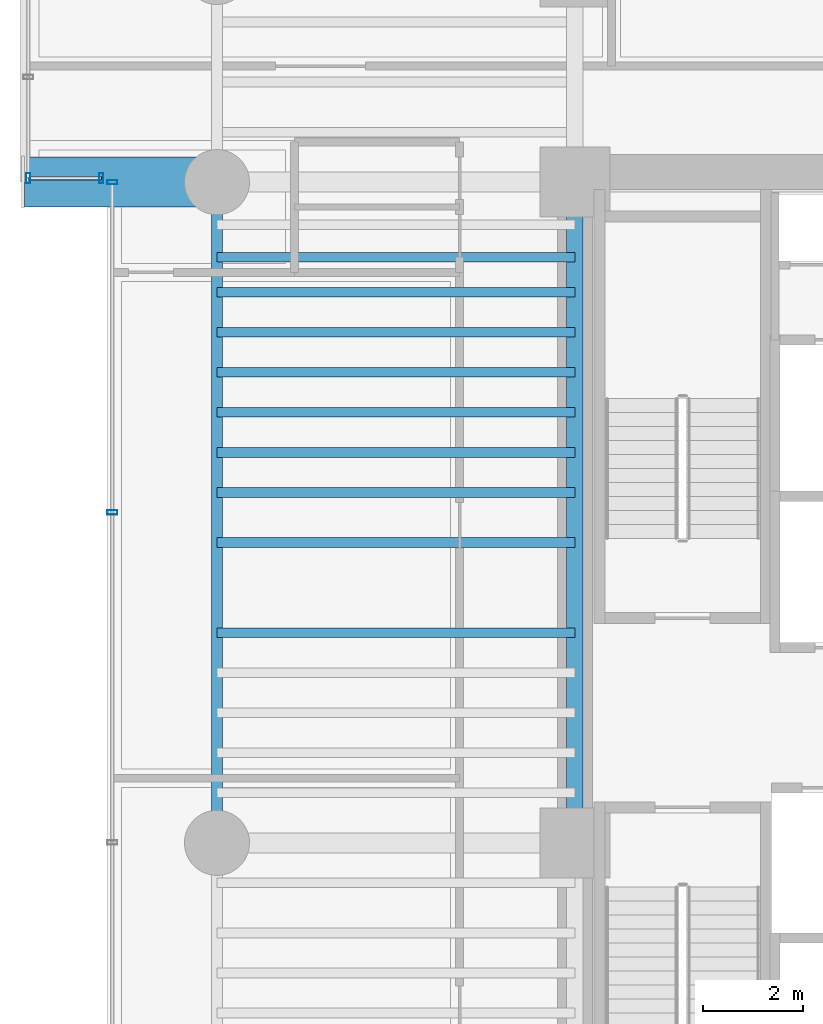
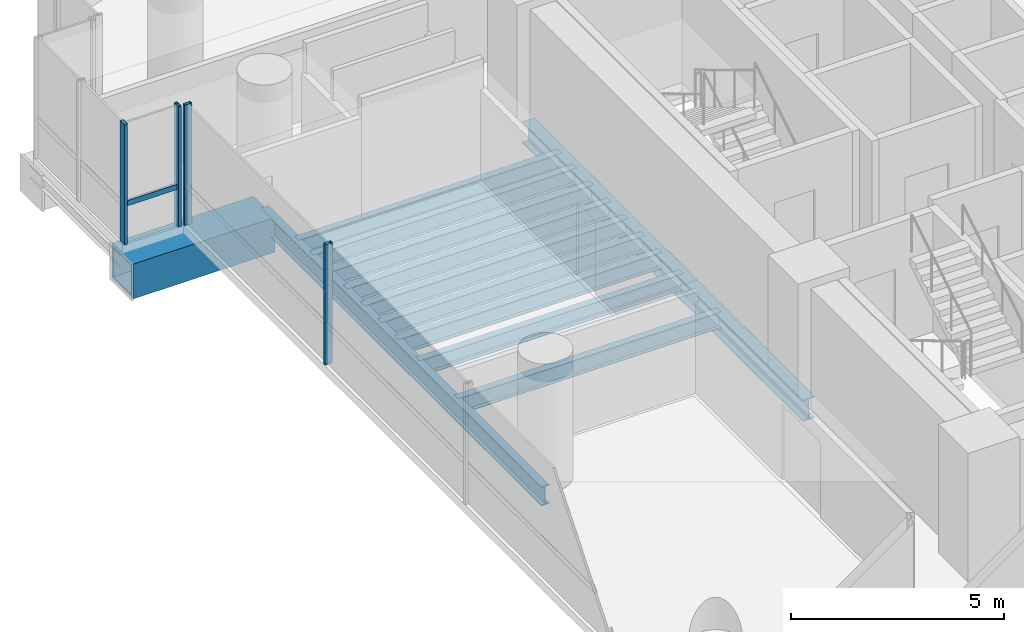
# One storey, part 10 of 40: 12 beams, 5 members, 2 elements without a shape of their own.
"""IFC4 building model written with IfcOpenShell, lengths in metres."""

import ifcopenshell
import ifcopenshell.guid

model = None  # the IFC model being written
_history = None  # IfcOwnerHistory: only IFC2X3 demands one
_inside = {}  # id of a spatial element -> (the spatial element, [elements in it])
_under = {}  # id of a project, library or spatial element -> (it, [spatial elements below it])
_declared = {}  # id of a project -> (the project, [libraries it declares])
_typed = {}  # id of a type object -> (the type object, [elements of that type])
_made_of = {}  # id of a material, layer set ... -> (it, [elements and type objects made of it])


def new_model(schema):
    """Start an empty IFC model of exactly this schema.

    Asked for "IFC4X3", IfcOpenShell would pick the latest addendum, in which some entities
    have other attributes; the version numbers below select the first issue.
    IFC2X3 requires an IfcOwnerHistory on every rooted entity: one is made here for all.
    """
    global model, _history
    if schema == "IFC4X3":
        model = ifcopenshell.file(schema_version=(4, 3, 0, 0))
    else:
        model = ifcopenshell.file(schema=schema)
    _inside.clear()
    _under.clear()
    _declared.clear()
    _typed.clear()
    _made_of.clear()
    _history = None
    if model.schema == "IFC2X3":
        org = make("IfcOrganization", Name="unknown")
        user = make(
            "IfcPersonAndOrganization",
            ThePerson=make("IfcPerson", FamilyName="unknown"),
            TheOrganization=org,
        )
        app = make(
            "IfcApplication",
            ApplicationDeveloper=org,
            Version="unknown",
            ApplicationFullName="unknown",
            ApplicationIdentifier="unknown",
        )
        _history = make(
            "IfcOwnerHistory",
            OwningUser=user,
            OwningApplication=app,
            ChangeAction="ADDED",
            CreationDate=0,
        )
    return model


def make(cls, **values):
    """One entity of the class cls with the attributes given. An attribute that is None is left unset."""
    return model.create_entity(
        cls, **{name: value for name, value in values.items() if value is not None}
    )


def rooted(cls, **values):
    """An entity with a GlobalId (a new one), such as an element, a storey or a relation."""
    return make(cls, GlobalId=ifcopenshell.guid.new(), OwnerHistory=_history, **values)


def si_unit(unit_type, name, prefix=None):
    """IfcSIUnit, for example si_unit("LENGTHUNIT", "METRE", prefix="MILLI")."""
    return make("IfcSIUnit", UnitType=unit_type, Prefix=prefix, Name=name)


def assignment(units):
    """IfcUnitAssignment: the units of a project."""
    return None if units is None else make("IfcUnitAssignment", Units=units)


def point(xyz):
    """IfcCartesianPoint."""
    return None if xyz is None else make("IfcCartesianPoint", Coordinates=xyz)


def direction(xyz):
    """IfcDirection."""
    return None if xyz is None else make("IfcDirection", DirectionRatios=xyz)


def frame(location, z_axis=None, x_axis=None):
    """IfcAxis2Placement3D, a coordinate frame: its origin and axes. An axis left out is left unset."""
    return make(
        "IfcAxis2Placement3D",
        Location=point(location),
        Axis=direction(z_axis),
        RefDirection=direction(x_axis),
    )


def frame_2d(location, x_axis=None):
    """IfcAxis2Placement2D, a coordinate frame in the plane: its origin and x axis."""
    return make(
        "IfcAxis2Placement2D", Location=point(location), RefDirection=direction(x_axis)
    )


def origin():
    """The frame at (0, 0, 0) with its axes left unset."""
    return frame((0.0, 0.0, 0.0))


def origin_2d():
    """The frame at (0, 0) in the plane with its x axis left unset."""
    return frame_2d((0.0, 0.0))


def place(relative_to, where):
    """IfcLocalPlacement: puts the frame where relative to a parent placement (None: the world)."""
    return make(
        "IfcLocalPlacement", PlacementRelTo=relative_to, RelativePlacement=where
    )


def context(
    kind, dimensions, precision=None, world=None, true_north=None, identifier=None
):
    """IfcGeometricRepresentationContext, for example the 3D "Model" context."""
    return make(
        "IfcGeometricRepresentationContext",
        ContextIdentifier=identifier,
        ContextType=kind,
        CoordinateSpaceDimension=dimensions,
        Precision=precision,
        WorldCoordinateSystem=world,
        TrueNorth=true_north,
    )


def subcontext(parent, identifier, kind, view, scale=None):
    """IfcGeometricRepresentationSubContext, for example "Body" below "Model"."""
    return make(
        "IfcGeometricRepresentationSubContext",
        ContextIdentifier=identifier,
        ContextType=kind,
        ParentContext=parent,
        TargetScale=scale,
        TargetView=view,
    )


def project(units=None, contexts=None):
    """IfcProject with its units and contexts."""
    return rooted(
        "IfcProject",
        Name="project",
        RepresentationContexts=contexts,
        UnitsInContext=assignment(units),
    )


def spatial(cls, under=None, at=None, **own):
    """A site, building, storey or space (cls), placed at a placement, below another one or the project."""
    s = rooted(cls, ObjectPlacement=at, **own)
    if under is not None:
        _under.setdefault(under.id(), (under, []))[1].append(s)
    return s


def profile(cls, at=None, kind="AREA", **sizes):
    """A parametric profile (cls). Its sizes go by their IFC names, for example OverallWidth=200.0."""
    return make(cls, ProfileType=kind, Position=at, **sizes)


def hollow_rectangle(**sizes):
    """IfcRectangleHollowProfileDef."""
    return profile("IfcRectangleHollowProfileDef", **sizes)


def i_section(**sizes):
    """IfcIShapeProfileDef."""
    return profile("IfcIShapeProfileDef", **sizes)


def extrude(swept, where, along, depth):
    """IfcExtrudedAreaSolid: the profile swept, set in the frame where, extruded along a direction by depth."""
    return make(
        "IfcExtrudedAreaSolid",
        SweptArea=swept,
        Position=where,
        ExtrudedDirection=direction(along),
        Depth=depth,
    )


def shape(context_of_items, identifier, shape_type, items):
    """IfcShapeRepresentation: the items that make up one representation, for example the "Body"."""
    return make(
        "IfcShapeRepresentation",
        ContextOfItems=context_of_items,
        RepresentationIdentifier=identifier,
        RepresentationType=shape_type,
        Items=items,
    )


def source(mapping_origin, context_of_items, identifier, shape_type, items):
    """IfcRepresentationMap: a shape defined once, which mapped items show again and again."""
    return make(
        "IfcRepresentationMap",
        MappingOrigin=mapping_origin,
        MappedRepresentation=shape(context_of_items, identifier, shape_type, items),
    )


def transform(
    local_origin,
    x_axis=None,
    y_axis=None,
    z_axis=None,
    scale=None,
    scale2=None,
    scale3=None,
    uniform=True,
):
    """IfcCartesianTransformationOperator3D, or its non-uniform kind. x_axis, y_axis, z_axis: its Axis1, 2, 3."""
    if uniform:
        return make(
            "IfcCartesianTransformationOperator3D",
            Axis1=direction(x_axis),
            Axis2=direction(y_axis),
            LocalOrigin=point(local_origin),
            Scale=scale,
            Axis3=direction(z_axis),
        )
    return make(
        "IfcCartesianTransformationOperator3DnonUniform",
        Axis1=direction(x_axis),
        Axis2=direction(y_axis),
        LocalOrigin=point(local_origin),
        Scale=scale,
        Axis3=direction(z_axis),
        Scale2=scale2,
        Scale3=scale3,
    )


def mapped(mapping_source, mapping_target):
    """IfcMappedItem: shows the shape of a source again, moved by a transform."""
    return make(
        "IfcMappedItem", MappingSource=mapping_source, MappingTarget=mapping_target
    )


def material(Name=None, Category=None):
    """IfcMaterial."""
    return make("IfcMaterial", Name=Name, Category=Category)


def material_profile(
    of_material, cross_section, Name=None, Category=None, Priority=None
):
    """IfcMaterialProfile: a cross section and its material."""
    return make(
        "IfcMaterialProfile",
        Name=Name,
        Material=of_material,
        Profile=cross_section,
        Priority=Priority,
        Category=Category,
    )


def profile_set(profiles, Name=None, composite=None):
    """IfcMaterialProfileSet."""
    return make(
        "IfcMaterialProfileSet",
        Name=Name,
        MaterialProfiles=profiles,
        CompositeProfile=composite,
    )


def made_of(thing, what):
    """Note that an element or type object is made of a material, layer set ...; save() writes the relation."""
    if what is not None:
        _made_of.setdefault(what.id(), (what, []))[1].append(thing)
    return thing


def type_object(cls, material=None, **own):
    """A type object (cls), such as IfcWallType, which elements share."""
    return made_of(rooted(cls, **own), material)


def element(
    cls,
    number,
    at=None,
    inside=None,
    cuts=None,
    type_object=None,
    material=None,
    context=None,
    identifier="Body",
    shape_type=None,
    held_by="IfcProductDefinitionShape",
    body=None,
    shapes=None,
    **own,
):
    """One element of the class cls, such as IfcWall. Its Tag is "e" and its number.

    at: its placement. inside: the storey or other place that contains it. cuts: it is an
    opening in that element (IfcRelVoidsElement). A single representation is given by context,
    identifier, shape_type and body (its items); several are given by shapes. held_by: the class
    of the entity that holds the representations. save() writes the other relations.
    """
    e = rooted(cls, Tag="e%d" % number, ObjectPlacement=at, **own)
    if body is not None:
        shapes = [shape(context, identifier, shape_type, body)]
    if shapes is not None:
        e.Representation = make(held_by, Representations=shapes)
    if inside is not None:
        _inside.setdefault(inside.id(), (inside, []))[1].append(e)
    if cuts is not None:
        rooted(
            "IfcRelVoidsElement", RelatingBuildingElement=cuts, RelatedOpeningElement=e
        )
    if type_object is not None:
        _typed.setdefault(type_object.id(), (type_object, []))[1].append(e)
    return made_of(e, material)


def aggregate(whole, parts):
    """IfcRelAggregates: a whole, such as a stair, and the parts it consists of."""
    return rooted("IfcRelAggregates", RelatingObject=whole, RelatedObjects=parts)


def save(model, path):
    """Write the relations noted so far, then the file.

    IfcRelAggregates (storeys below a building ...), IfcRelContainedInSpatialStructure (elements
    in a storey), IfcRelDefinesByType, IfcRelAssociatesMaterial and IfcRelDeclares: one each for
    every whole, place, type object, material and project.
    """
    for whole, parts in _under.values():
        aggregate(whole, parts)
    for where, things in _inside.values():
        rooted(
            "IfcRelContainedInSpatialStructure",
            RelatedElements=things,
            RelatingStructure=where,
        )
    for kind, things in _typed.values():
        rooted("IfcRelDefinesByType", RelatedObjects=things, RelatingType=kind)
    for what, things in _made_of.values():
        rooted("IfcRelAssociatesMaterial", RelatedObjects=things, RelatingMaterial=what)
    for by, libraries in _declared.values():
        rooted("IfcRelDeclares", RelatingContext=by, RelatedDefinitions=libraries)
    model.write(path)


model = new_model("IFC4")

# Units and contexts
model_context = context("Model", 3, precision=1e-05, world=origin(), true_north=direction((0.0, 1.0)))
body_context = subcontext(model_context, "Body", "Model", "MODEL_VIEW")
ifc_project = project(units=[si_unit("LENGTHUNIT", "METRE"), si_unit("AREAUNIT", "SQUARE_METRE"), si_unit("VOLUMEUNIT", "CUBIC_METRE"), si_unit("PLANEANGLEUNIT", "RADIAN"), si_unit("MASSUNIT", "GRAM", prefix="KILO")], contexts=[model_context])

# Site, building, storey
site_placement = place(None, origin())
site = spatial("IfcSite", under=ifc_project, at=site_placement, CompositionType="ELEMENT")
building_placement = place(site_placement, origin())
building = spatial("IfcBuilding", under=site, at=building_placement, Name="Valdorenza Pilgrim Sanctuary Tower", CompositionType="ELEMENT")
storey_placement = place(building_placement, frame((0.0, 0.0, 51.89990234375)))
storey = spatial("IfcBuildingStorey", under=building, at=storey_placement, Name="L12", CompositionType="ELEMENT", Elevation=51.89990234375)

# Beams
ifc_material_1 = material(Name="Steel ASTM A992 Grade 50", Category="steel")
ifc_material_profile_1 = material_profile(ifc_material_1, i_section(OverallWidth=0.214111328125, OverallDepth=0.549072265625, WebThickness=0.0146484375, FlangeThickness=0.023681640625, at=origin_2d()), Name="W21X93")
ifc_profile_set_1 = profile_set([ifc_material_profile_1], Name="Steel ASTM A992 Grade 50")
beam_type_1 = type_object("IfcBeamType", Name="STR-BM-SPN-W21A", PredefinedType="SPANDREL", material=ifc_profile_set_1)
shared_shape_1 = source(origin(), body_context, "Body", "SweptSolid", [
    extrude(i_section(OverallWidth=0.214111328125, OverallDepth=0.549072265625, WebThickness=0.0146484375, FlangeThickness=0.023681640625, at=origin_2d()), origin(), (0.0, 0.0, 1.0), 13.2001953125),
])
beam_1_placement = place(storey_placement, frame((-29.800048828125, -2.60009765625, -0.514404296875), z_axis=(0.0, 1.0, 0.0), x_axis=(-1.0, 0.0, 0.0)))
element("IfcBeam", 1, at=beam_1_placement, inside=storey, type_object=beam_type_1, Name="L12 Spandrel Beam WA-W-M0N1", PredefinedType="SPANDREL", context=body_context, shape_type="MappedRepresentation", body=[
    mapped(shared_shape_1, transform((0.0, 0.0, 0.0), x_axis=(1.0, 0.0, 0.0), y_axis=(0.0, 1.0, 0.0), z_axis=(0.0, 0.0, 1.0), scale=1.0)),
])
ifc_material_profile_2 = material_profile(ifc_material_1, i_section(OverallWidth=0.323974609375, OverallDepth=0.611083984375, WebThickness=0.0126953125, FlangeThickness=0.01904296875, at=origin_2d()), Name="W24X104")
ifc_profile_set_2 = profile_set([ifc_material_profile_2], Name="Steel ASTM A992 Grade 50")
beam_type_2 = type_object("IfcBeamType", Name="STR-BM-GRD-W24B", PredefinedType="BEAM", material=ifc_profile_set_2)
shared_shape_2 = source(origin(), body_context, "Body", "SweptSolid", [
    extrude(i_section(OverallWidth=0.323974609375, OverallDepth=0.611083984375, WebThickness=0.0126953125, FlangeThickness=0.01904296875, at=origin_2d()), origin(), (0.0, 0.0, 1.0), 13.2001953125),
])
beam_2_placement = place(storey_placement, frame((-22.64990234375, -2.60009765625, -0.54541015625), z_axis=(0.0, 1.0, 0.0), x_axis=(-1.0, 0.0, 0.0)))
element("IfcBeam", 2, at=beam_2_placement, inside=storey, type_object=beam_type_2, Name="L12 Core Tie Girder CA-W-M0N1", PredefinedType="BEAM", context=body_context, shape_type="MappedRepresentation", body=[
    mapped(shared_shape_2, transform((0.0, 0.0, 0.0), x_axis=(1.0, 0.0, 0.0), y_axis=(0.0, 1.0, 0.0), z_axis=(0.0, 0.0, 1.0), scale=1.0)),
])
ifc_material_profile_3 = material_profile(ifc_material_1, i_section(OverallWidth=0.193115234375, OverallDepth=0.466064453125, WebThickness=0.011474609375, FlangeThickness=0.01904296875, at=origin_2d()), Name="W18X65")
ifc_profile_set_3 = profile_set([ifc_material_profile_3], Name="Steel ASTM A992 Grade 50")
beam_type_3 = type_object("IfcBeamType", Name="STR-BM-JST-W18A", PredefinedType="JOIST", material=ifc_profile_set_3)
shared_shape_3 = source(origin(), body_context, "Body", "SweptSolid", [
    extrude(i_section(OverallWidth=0.193115234375, OverallDepth=0.466064453125, WebThickness=0.011474609375, FlangeThickness=0.01904296875, at=origin_2d()), origin(), (0.0, 0.0, 1.0), 7.150146484375),
])
for number, where, z_axis, x_axis, name in (
    (3, (-29.800048828125, 1.60009765625, -0.472900390625), (1.0, 0.0, 0.0), (0.0, 1.0, 0.0), "L12 Composite Floor Joist JST-WA-14"),
    (4, (-29.800048828125, 3.39990234375, -0.472900390625), (1.0, 0.0, 0.0), (0.0, 1.0, 0.0), "L12 Composite Floor Joist JST-WA-15"),
    (5, (-29.800048828125, 4.39990234375, -0.472900390625), (1.0, 0.0, 0.0), (0.0, 1.0, 0.0), "L12 Composite Floor Joist JST-WA-16"),
    (6, (-29.800048828125, 5.199951171875, -0.472900390625), (1.0, 0.0, 0.0), (0.0, 1.0, 0.0), "L12 Composite Floor Joist JST-WA-17"),
    (7, (-29.800048828125, 6.0, -0.472900390625), (1.0, 0.0, 0.0), (0.0, 1.0, 0.0), "L12 Composite Floor Joist JST-WA-18"),
    (8, (-29.800048828125, 6.800048828125, -0.472900390625), (1.0, 0.0, 0.0), (0.0, 1.0, 0.0), "L12 Composite Floor Joist JST-WA-19"),
    (9, (-29.800048828125, 7.60009765625, -0.472900390625), (1.0, 0.0, 0.0), (0.0, 1.0, 0.0), "L12 Composite Floor Joist JST-WA-20"),
    (10, (-29.800048828125, 8.39990234375, -0.472900390625), (1.0, 0.0, 0.0), (0.0, 1.0, 0.0), "L12 Composite Floor Joist JST-WA-21"),
    (11, (-29.800048828125, 9.10009765625, -0.472900390625), (1.0, 0.0, 0.0), (0.0, 1.0, 0.0), "L12 Composite Floor Joist JST-WA-22"),
):
    element("IfcBeam", number, at=place(storey_placement, frame(where, z_axis=z_axis, x_axis=x_axis)), inside=storey, type_object=beam_type_3, Name=name, PredefinedType="JOIST", context=body_context, shape_type="MappedRepresentation", body=[
        mapped(shared_shape_3, transform((0.0, 0.0, 0.0), x_axis=(1.0, 0.0, 0.0), y_axis=(0.0, 1.0, 0.0), z_axis=(0.0, 0.0, 1.0), scale=1.0)),
    ])
ifc_material_2 = material(Name="Steel ASTM A572 Grade 42", Category="steel")
ifc_material_profile_4 = material_profile(ifc_material_2, hollow_rectangle(XDim=1.0, YDim=1.0, WallThickness=0.080078125, at=origin_2d()), Name="BOX 1000x1000x80")
ifc_profile_set_4 = profile_set([ifc_material_profile_4], Name="Steel ASTM A572 Grade 42")
beam_type_4 = type_object("IfcBeamType", Name="STR-BM-PROW-CANT", PredefinedType="BEAM", material=ifc_profile_set_4)
shared_shape_4 = source(origin(), body_context, "Body", "SweptSolid", [
    extrude(hollow_rectangle(XDim=1.0, YDim=1.0, WallThickness=0.080078125, at=origin_2d()), origin(), (0.0, 0.0, 1.0), 3.849853515625),
])
beam_3_placement = place(storey_placement, frame((-29.800048828125, 10.60009765625, -0.739990234375), z_axis=(-1.0, 0.0, 0.0), x_axis=(0.0, -1.0, 0.0)))
element("IfcBeam", 12, at=beam_3_placement, inside=storey, type_object=beam_type_4, Name="L12 Glass Box Cantilever Beam BOX-WA-L12-CT-S", PredefinedType="BEAM", context=body_context, shape_type="MappedRepresentation", body=[
    mapped(shared_shape_4, transform((0.0, 0.0, 0.0), x_axis=(1.0, 0.0, 0.0), y_axis=(0.0, 1.0, 0.0), z_axis=(0.0, 0.0, 1.0), scale=1.0)),
])

# Curtain wall, member
ifc_material_3 = material(Name="Curtain-wall IGU glazing", Category="glass")
curtain_wall_type = type_object("IfcCurtainWallType", Name="CW-SYS-02", PredefinedType="NOTDEFINED", material=ifc_material_3)
curtain_wall_1_placement = place(storey_placement, origin())
curtain_wall_1 = element("IfcCurtainWall", 13, at=curtain_wall_1_placement, inside=storey, type_object=curtain_wall_type, Name="L12 Curtain Wall CW-L12-BOX-WA-L12-S", PredefinedType="NOTDEFINED")
ifc_material_4 = material(Name="Anodised aluminium AW-6060", Category="aluminium")
ifc_material_profile_5 = material_profile(ifc_material_4, hollow_rectangle(XDim=0.074951171875, YDim=0.14990234375, WallThickness=0.00390625, at=origin_2d()), Name="ALU-T 150x75x4")
ifc_profile_set_5 = profile_set([ifc_material_profile_5], Name="Anodised aluminium AW-6060")
member_type_1 = type_object("IfcMemberType", Name="CW-TRN-02", PredefinedType="USERDEFINED", material=ifc_profile_set_5)
shared_shape_5 = source(origin(), body_context, "Body", "SweptSolid", [
    extrude(hollow_rectangle(XDim=0.074951171875, YDim=0.14990234375, WallThickness=0.00390625, at=origin_2d()), origin(), (0.0, 0.0, 1.0), 1.4599609375),
])
member_1_placement = place(storey_placement, frame((-32.110107421875, 10.679931640625, 1.1201171875), z_axis=(-1.0, 0.0, 0.0), x_axis=(0.0, -1.0, 0.0)))
member_1 = element("IfcMember", 14, at=member_1_placement, type_object=member_type_1, Name="CW-L12-BOX-WA-L12-S Transom 1", ObjectType="TRANSOM", PredefinedType="USERDEFINED", context=body_context, shape_type="MappedRepresentation", body=[
    mapped(shared_shape_5, transform((0.0, 0.0, 0.0), x_axis=(1.0, 0.0, 0.0), y_axis=(0.0, 1.0, 0.0), z_axis=(0.0, 0.0, 1.0), scale=1.0)),
])

# Curtain wall, members
curtain_wall_2_placement = place(storey_placement, origin())
curtain_wall_2 = element("IfcCurtainWall", 15, at=curtain_wall_2_placement, inside=storey, type_object=curtain_wall_type, Name="L12 Curtain Wall CW-L12-1-1S1", PredefinedType="NOTDEFINED")
ifc_material_profile_6 = material_profile(ifc_material_4, hollow_rectangle(XDim=0.0849609375, YDim=0.199951171875, WallThickness=0.0048828125, at=origin_2d()), Name="ALU-M 200x85x5")
ifc_profile_set_6 = profile_set([ifc_material_profile_6], Name="Anodised aluminium AW-6060")
member_type_2 = type_object("IfcMemberType", Name="CW-MUL-02", PredefinedType="MULLION", material=ifc_profile_set_6)
shared_shape_6 = source(origin(), body_context, "Body", "SweptSolid", [
    extrude(hollow_rectangle(XDim=0.0849609375, YDim=0.199951171875, WallThickness=0.0048828125, at=origin_2d()), origin(), (0.0, 0.0, 1.0), 3.460205078125),
])
member_2_placement = place(storey_placement, frame((-31.889892578125, 4.002685546875, 0.0), z_axis=(0.0, 0.0, 1.0), x_axis=(0.0, 1.0, 0.0)))
member_2 = element("IfcMember", 16, at=member_2_placement, type_object=member_type_2, Name="CW-L12-1-1S1 Mullion 4", PredefinedType="MULLION", context=body_context, shape_type="MappedRepresentation", body=[
    mapped(shared_shape_6, transform((0.0, 0.0, 0.0), x_axis=(1.0, 0.0, 0.0), y_axis=(0.0, 1.0, 0.0), z_axis=(0.0, 0.0, 1.0), scale=1.0)),
])
member_3_placement = place(storey_placement, frame((-31.889892578125, 10.60009765625, 0.0), z_axis=(0.0, 0.0, 1.0), x_axis=(0.0, 1.0, 0.0)))
member_3 = element("IfcMember", 17, at=member_3_placement, type_object=member_type_2, Name="CW-L12-1-1S1 Mullion 5", PredefinedType="MULLION", context=body_context, shape_type="MappedRepresentation", body=[
    mapped(shared_shape_6, transform((0.0, 0.0, 0.0), x_axis=(1.0, 0.0, 0.0), y_axis=(0.0, 1.0, 0.0), z_axis=(0.0, 0.0, 1.0), scale=1.0)),
])
aggregate(curtain_wall_2, [member_2, member_3])

# Member
member_4_placement = place(storey_placement, frame((-32.110107421875, 10.679931640625, 0.0), z_axis=(0.0, 0.0, 1.0), x_axis=(-1.0, 0.0, 0.0)))
member_4 = element("IfcMember", 18, at=member_4_placement, type_object=member_type_2, Name="CW-L12-BOX-WA-L12-S Mullion 1", PredefinedType="MULLION", context=body_context, shape_type="MappedRepresentation", body=[
    mapped(shared_shape_6, transform((0.0, 0.0, 0.0), x_axis=(1.0, 0.0, 0.0), y_axis=(0.0, 1.0, 0.0), z_axis=(0.0, 0.0, 1.0), scale=1.0)),
])

member_5_placement = place(storey_placement, frame((-33.570068359375, 10.679931640625, 0.0), z_axis=(0.0, 0.0, 1.0), x_axis=(-1.0, 0.0, 0.0)))
member_5 = element("IfcMember", 19, at=member_5_placement, type_object=member_type_2, Name="CW-L12-BOX-WA-L12-S Mullion 2", PredefinedType="MULLION", context=body_context, shape_type="MappedRepresentation", body=[
    mapped(shared_shape_6, transform((0.0, 0.0, 0.0), x_axis=(1.0, 0.0, 0.0), y_axis=(0.0, 1.0, 0.0), z_axis=(0.0, 0.0, 1.0), scale=1.0)),
])

aggregate(curtain_wall_1, [member_4, member_5, member_1])

save(model, "model.ifc")
